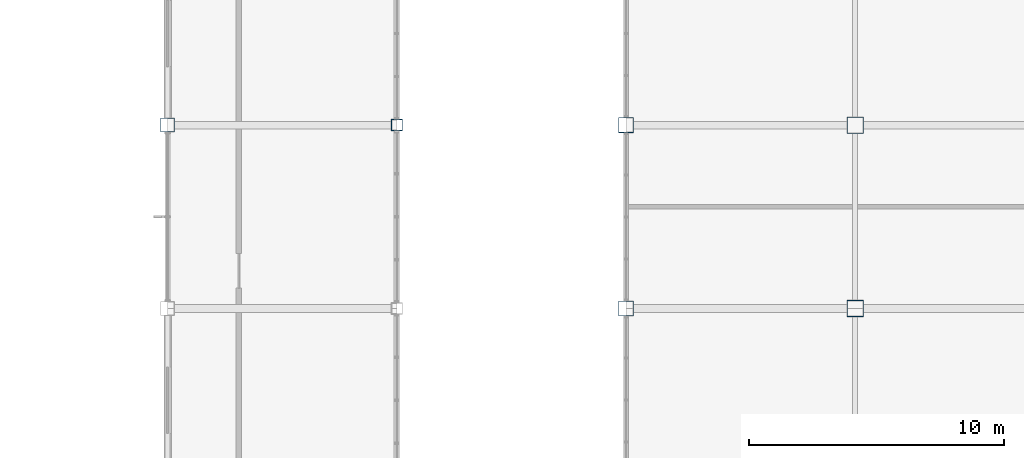
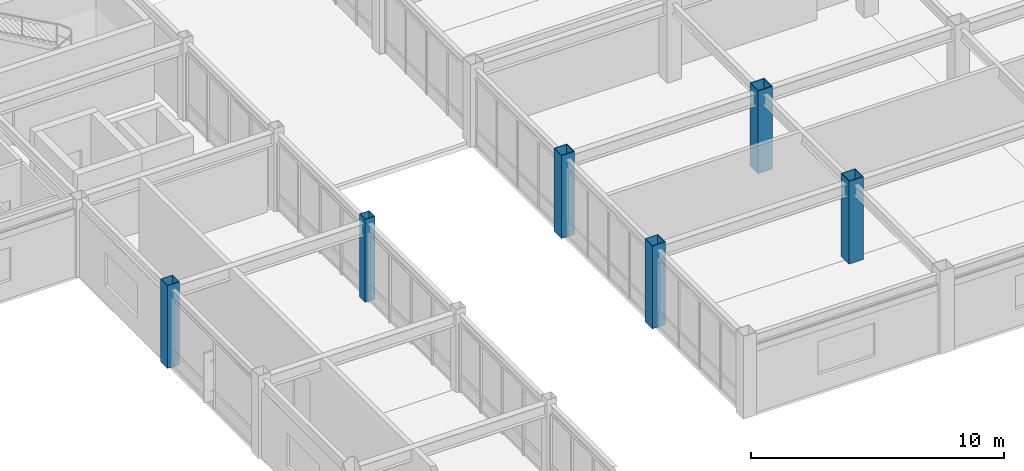
# One storey, part 6 of 113: 6 columns.
"""IFC4 building model written with IfcOpenShell, lengths in metres."""

from ifc_helpers import new_model, si_unit, direction, frame, origin, origin_2d, place, context, subcontext, project, spatial, hollow_rectangle, extrude, material, material_profile, profile_set, type_object, element, save


model = new_model("IFC4")

# Units and contexts
model_context = context("Model", 3, precision=1e-05, world=origin(), true_north=direction((0.0, 1.0)))
body_context = subcontext(model_context, "Body", "Model", "MODEL_VIEW")
ifc_project = project(units=[si_unit("LENGTHUNIT", "METRE"), si_unit("AREAUNIT", "SQUARE_METRE"), si_unit("VOLUMEUNIT", "CUBIC_METRE"), si_unit("PLANEANGLEUNIT", "RADIAN"), si_unit("MASSUNIT", "GRAM", prefix="KILO")], contexts=[model_context])

# Site, building, storey
site_placement = place(None, origin())
site = spatial("IfcSite", under=ifc_project, at=site_placement, CompositionType="ELEMENT")
building_placement = place(site_placement, origin())
building = spatial("IfcBuilding", under=site, at=building_placement, Name="Kazanami Central Library", CompositionType="ELEMENT")
storey_placement = place(building_placement, frame((0.0, 0.0, 8.800048828125)))
storey = spatial("IfcBuildingStorey", under=building, at=storey_placement, Name="L03", CompositionType="ELEMENT", Elevation=8.800048828125)

# Columns
ifc_material = material(Name="Steel BCP325 (325 MPa)", Category="steel")
ifc_material_profile_1 = material_profile(ifc_material, hollow_rectangle(XDim=0.449951171875, YDim=0.449951171875, WallThickness=0.01904296875, at=origin_2d()), Name="BCP-450x450x19")
ifc_profile_set_1 = profile_set([ifc_material_profile_1], Name="Steel BCP325 (325 MPa)")
column_type_1 = type_object("IfcColumnType", Name="COL-C-P2E", PredefinedType="COLUMN", material=ifc_profile_set_1)
column_1_placement = place(storey_placement, frame((108.0, 57.60009765625, 0.0), z_axis=(0.0, 0.0, 1.0), x_axis=(1.0, 0.0, 0.0)))
element("IfcColumn", 1, at=column_1_placement, inside=storey, type_object=column_type_1, Name="Column C-P2E L03 13/J", PredefinedType="COLUMN", context=body_context, shape_type="SweptSolid", body=[
    extrude(hollow_rectangle(XDim=0.449951171875, YDim=0.449951171875, WallThickness=0.01904296875, at=origin_2d()), origin(), (0.0, 0.0, 1.0), 4.0),
])
ifc_material_profile_2 = material_profile(ifc_material, hollow_rectangle(XDim=0.550048828125, YDim=0.550048828125, WallThickness=0.02197265625, at=origin_2d()), Name="BCP-550x550x22")
ifc_profile_set_2 = profile_set([ifc_material_profile_2], Name="Steel BCP325 (325 MPa)")
column_type_2 = type_object("IfcColumnType", Name="COL-C-P2I", PredefinedType="COLUMN", material=ifc_profile_set_2)
column_2_placement = place(storey_placement, frame((99.0, 57.60009765625, 0.0), z_axis=(0.0, 0.0, 1.0), x_axis=(1.0, 0.0, 0.0)))
element("IfcColumn", 2, at=column_2_placement, inside=storey, type_object=column_type_2, Name="Column C-P2I L03 12/J", PredefinedType="COLUMN", context=body_context, shape_type="SweptSolid", body=[
    extrude(hollow_rectangle(XDim=0.550048828125, YDim=0.550048828125, WallThickness=0.02197265625, at=origin_2d()), origin(), (0.0, 0.0, 1.0), 4.0),
])
ifc_material_profile_3 = material_profile(ifc_material, hollow_rectangle(XDim=0.64990234375, YDim=0.64990234375, WallThickness=0.02490234375, at=origin_2d()), Name="BCP-650x650x25")
ifc_profile_set_3 = profile_set([ifc_material_profile_3], Name="Steel BCP325 (325 MPa)")
column_type_3 = type_object("IfcColumnType", Name="COL-C-T2I", PredefinedType="COLUMN", material=ifc_profile_set_3)
for number, where, z_axis, x_axis, name in (
    (3, (126.0, 50.39990234375, 0.0), (0.0, 0.0, 1.0), (1.0, 0.0, 0.0), "Column C-T2I L03 15/H"),
    (4, (126.0, 57.60009765625, 0.0), (0.0, 0.0, 1.0), (1.0, 0.0, 0.0), "Column C-T2I L03 15/J"),
):
    element("IfcColumn", number, at=place(storey_placement, frame(where, z_axis=z_axis, x_axis=x_axis)), inside=storey, type_object=column_type_3, Name=name, PredefinedType="COLUMN", context=body_context, shape_type="SweptSolid", body=[
        extrude(hollow_rectangle(XDim=0.64990234375, YDim=0.64990234375, WallThickness=0.02490234375, at=origin_2d()), origin(), (0.0, 0.0, 1.0), 4.0),
    ])
ifc_material_profile_4 = material_profile(ifc_material, hollow_rectangle(XDim=0.60009765625, YDim=0.60009765625, WallThickness=0.02490234375, at=origin_2d()), Name="BCP-600x600x25")
ifc_profile_set_4 = profile_set([ifc_material_profile_4], Name="Steel BCP325 (325 MPa)")
column_type_4 = type_object("IfcColumnType", Name="COL-C-T2P", PredefinedType="COLUMN", material=ifc_profile_set_4)
for number, where, z_axis, x_axis, name in (
    (5, (117.0, 50.39990234375, 0.0), (0.0, 0.0, 1.0), (1.0, 0.0, 0.0), "Column C-T2P L03 14/H"),
    (6, (117.0, 57.60009765625, 0.0), (0.0, 0.0, 1.0), (1.0, 0.0, 0.0), "Column C-T2P L03 14/J"),
):
    element("IfcColumn", number, at=place(storey_placement, frame(where, z_axis=z_axis, x_axis=x_axis)), inside=storey, type_object=column_type_4, Name=name, PredefinedType="COLUMN", context=body_context, shape_type="SweptSolid", body=[
        extrude(hollow_rectangle(XDim=0.60009765625, YDim=0.60009765625, WallThickness=0.02490234375, at=origin_2d()), origin(), (0.0, 0.0, 1.0), 4.0),
    ])

save(model, "model.ifc")
